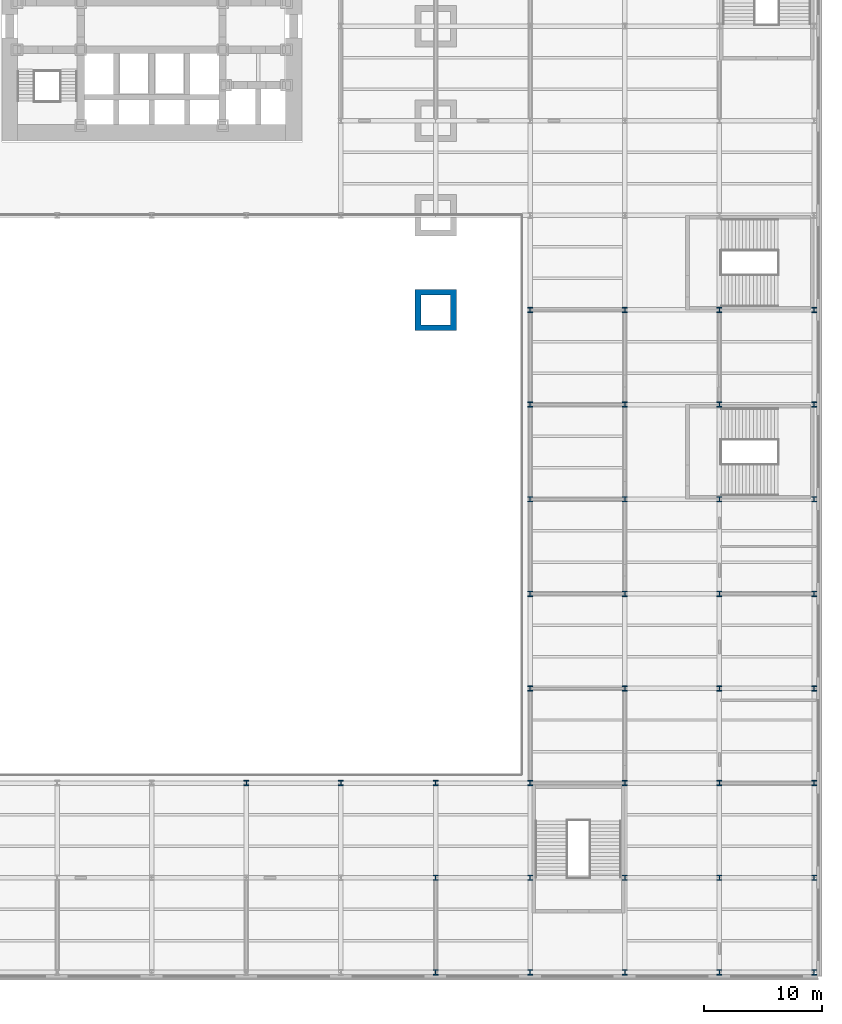
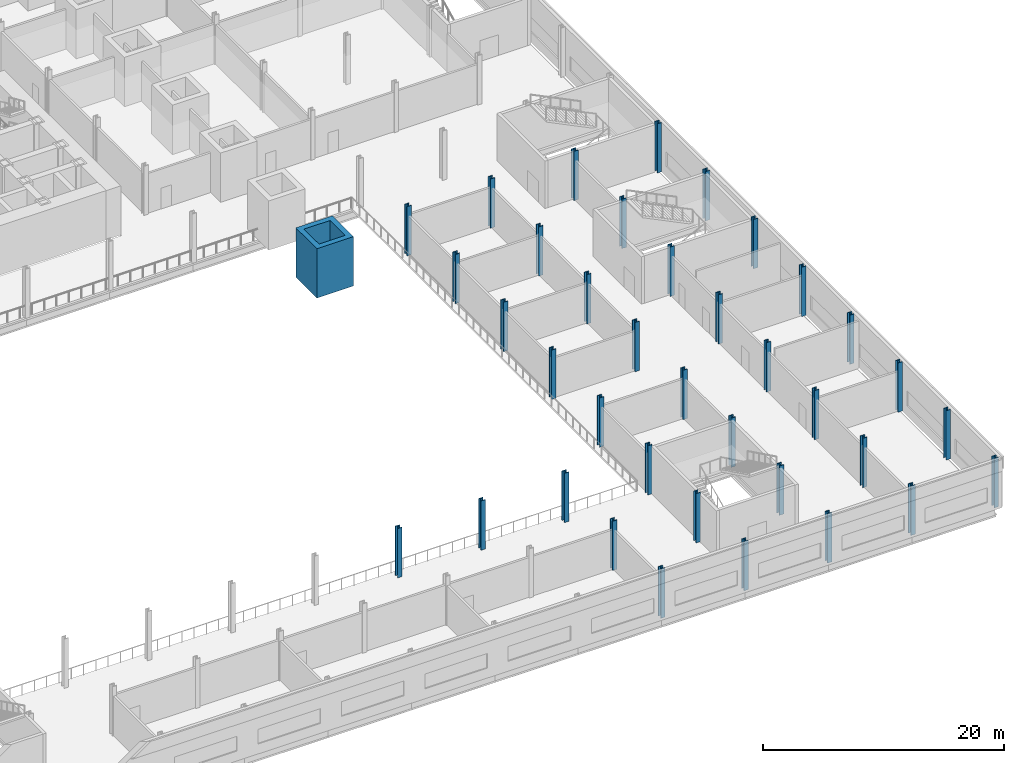
# One storey, part 2 of 18: 38 columns.
"""IFC4 building model written with IfcOpenShell, lengths in metres."""

from ifc_helpers import new_model, si_unit, direction, frame, origin, origin_2d, place, context, subcontext, project, spatial, hollow_rectangle, i_section, extrude, material, material_profile, profile_set, type_object, element, save


model = new_model("IFC4")

# Units and contexts
model_context = context("Model", 3, precision=1e-05, world=origin(), true_north=direction((0.0, 1.0)))
body_context = subcontext(model_context, "Body", "Model", "MODEL_VIEW")
ifc_project = project(units=[si_unit("LENGTHUNIT", "METRE"), si_unit("AREAUNIT", "SQUARE_METRE"), si_unit("VOLUMEUNIT", "CUBIC_METRE"), si_unit("PLANEANGLEUNIT", "RADIAN"), si_unit("MASSUNIT", "GRAM", prefix="KILO")], contexts=[model_context])

# Site, building, storey
site_placement = place(None, origin())
site = spatial("IfcSite", under=ifc_project, at=site_placement, CompositionType="ELEMENT")
building_placement = place(site_placement, origin())
building = spatial("IfcBuilding", under=site, at=building_placement, Name="Daluyong Arena Tower", CompositionType="ELEMENT")
storey_placement = place(building_placement, frame((0.0, 0.0, 4.89990234375)))
storey = spatial("IfcBuildingStorey", under=building, at=storey_placement, Name="L01", CompositionType="ELEMENT", Elevation=4.89990234375)

# Columns
ifc_material_1 = material(Name="Steel ASTM A913 Grade 65", Category="steel")
ifc_material_profile_1 = material_profile(ifc_material_1, i_section(OverallWidth=0.419189453125, OverallDepth=0.45458984375, WebThickness=0.042236328125, FlangeThickness=0.067626953125, at=origin_2d()))
ifc_profile_set_1 = profile_set([ifc_material_profile_1], Name="Steel ASTM A913 Grade 65")
column_type_1 = type_object("IfcColumnType", Name="Podium column W14X370", PredefinedType="COLUMN", material=ifc_profile_set_1)
for number, where, z_axis, x_axis, name in (
    (1, (64.0, 16.0, 0.0), (0.0, 0.0, 1.0), (1.0, 0.0, 0.0), "podium column PC1"),
    (2, (72.0, 16.0, 0.0), (0.0, 0.0, 1.0), (1.0, 0.0, 0.0), "podium column PC1"),
    (3, (80.0, 0.0, 0.0), (0.0, 0.0, 1.0), (1.0, 0.0, 0.0), "podium column PC1"),
    (4, (80.0, 8.0, 0.0), (0.0, 0.0, 1.0), (1.0, 0.0, 0.0), "podium column PC1"),
    (5, (80.0, 16.0, 0.0), (0.0, 0.0, 1.0), (1.0, 0.0, 0.0), "podium column PC1"),
    (6, (88.0, 0.0, 0.0), (0.0, 0.0, 1.0), (1.0, 0.0, 0.0), "podium column PC1"),
    (7, (88.0, 8.0, 0.0), (0.0, 0.0, 1.0), (1.0, 0.0, 0.0), "podium column PC1"),
    (8, (88.0, 16.0, 0.0), (0.0, 0.0, 1.0), (1.0, 0.0, 0.0), "podium column PC1"),
    (9, (88.0, 24.0, 0.0), (0.0, 0.0, 1.0), (1.0, 0.0, 0.0), "podium column PC1"),
    (10, (88.0, 32.0, 0.0), (0.0, 0.0, 1.0), (1.0, 0.0, 0.0), "podium column PC1"),
    (11, (88.0, 40.0, 0.0), (0.0, 0.0, 1.0), (1.0, 0.0, 0.0), "podium column PC1"),
    (12, (88.0, 48.0, 0.0), (0.0, 0.0, 1.0), (1.0, 0.0, 0.0), "podium column PC1"),
    (13, (88.0, 56.0, 0.0), (0.0, 0.0, 1.0), (1.0, 0.0, 0.0), "podium column PC1"),
    (14, (96.0, 0.0, 0.0), (0.0, 0.0, 1.0), (1.0, 0.0, 0.0), "podium column PC1"),
    (15, (96.0, 8.0, 0.0), (0.0, 0.0, 1.0), (1.0, 0.0, 0.0), "podium column PC1"),
    (16, (96.0, 16.0, 0.0), (0.0, 0.0, 1.0), (1.0, 0.0, 0.0), "podium column PC1"),
    (17, (96.0, 24.0, 0.0), (0.0, 0.0, 1.0), (1.0, 0.0, 0.0), "podium column PC1"),
    (18, (96.0, 32.0, 0.0), (0.0, 0.0, 1.0), (1.0, 0.0, 0.0), "podium column PC1"),
    (19, (96.0, 40.0, 0.0), (0.0, 0.0, 1.0), (1.0, 0.0, 0.0), "podium column PC1"),
    (20, (96.0, 48.0, 0.0), (0.0, 0.0, 1.0), (1.0, 0.0, 0.0), "podium column PC1"),
    (21, (96.0, 56.0, 0.0), (0.0, 0.0, 1.0), (1.0, 0.0, 0.0), "podium column PC1"),
    (22, (104.0, 0.0, 0.0), (0.0, 0.0, 1.0), (1.0, 0.0, 0.0), "podium column PC1"),
    (23, (104.0, 8.0, 0.0), (0.0, 0.0, 1.0), (1.0, 0.0, 0.0), "podium column PC1"),
    (24, (104.0, 16.0, 0.0), (0.0, 0.0, 1.0), (1.0, 0.0, 0.0), "podium column PC1"),
    (25, (104.0, 24.0, 0.0), (0.0, 0.0, 1.0), (1.0, 0.0, 0.0), "podium column PC1"),
    (26, (104.0, 32.0, 0.0), (0.0, 0.0, 1.0), (1.0, 0.0, 0.0), "podium column PC1"),
    (27, (104.0, 40.0, 0.0), (0.0, 0.0, 1.0), (1.0, 0.0, 0.0), "podium column PC1"),
    (28, (104.0, 48.0, 0.0), (0.0, 0.0, 1.0), (1.0, 0.0, 0.0), "podium column PC1"),
    (29, (104.0, 56.0, 0.0), (0.0, 0.0, 1.0), (1.0, 0.0, 0.0), "podium column PC1"),
    (30, (112.0, 0.0, 0.0), (0.0, 0.0, 1.0), (1.0, 0.0, 0.0), "podium column PC1"),
    (31, (112.0, 8.0, 0.0), (0.0, 0.0, 1.0), (1.0, 0.0, 0.0), "podium column PC1"),
    (32, (112.0, 16.0, 0.0), (0.0, 0.0, 1.0), (1.0, 0.0, 0.0), "podium column PC1"),
    (33, (112.0, 24.0, 0.0), (0.0, 0.0, 1.0), (1.0, 0.0, 0.0), "podium column PC1"),
    (34, (112.0, 32.0, 0.0), (0.0, 0.0, 1.0), (1.0, 0.0, 0.0), "podium column PC1"),
    (35, (112.0, 40.0, 0.0), (0.0, 0.0, 1.0), (1.0, 0.0, 0.0), "podium column PC1"),
    (36, (112.0, 48.0, 0.0), (0.0, 0.0, 1.0), (1.0, 0.0, 0.0), "podium column PC1"),
    (37, (112.0, 56.0, 0.0), (0.0, 0.0, 1.0), (1.0, 0.0, 0.0), "podium column PC1"),
):
    element("IfcColumn", number, at=place(storey_placement, frame(where, z_axis=z_axis, x_axis=x_axis)), inside=storey, type_object=column_type_1, Name=name, PredefinedType="COLUMN", context=body_context, shape_type="SweptSolid", body=[
        extrude(i_section(OverallWidth=0.419189453125, OverallDepth=0.45458984375, WebThickness=0.042236328125, FlangeThickness=0.067626953125, at=origin_2d()), origin(), (0.0, 0.0, 1.0), 5.0),
    ])
ifc_material_2 = material(Name="Steel ASTM A36", Category="steel")
ifc_material_profile_2 = material_profile(ifc_material_2, hollow_rectangle(XDim=3.5, YDim=3.5, WallThickness=0.5, at=origin_2d()))
ifc_profile_set_2 = profile_set([ifc_material_profile_2], Name="Steel ASTM A36")
column_type_2 = type_object("IfcColumnType", Name="Podium megacolumn BX3500X500", PredefinedType="COLUMN", material=ifc_profile_set_2)
column_placement = place(storey_placement, frame((80.0, 56.0, 0.0), z_axis=(0.0, 0.0, 1.0), x_axis=(1.0, 0.0, 0.0)))
element("IfcColumn", 38, at=column_placement, inside=storey, type_object=column_type_2, Name="podium megacolumn MC1", PredefinedType="COLUMN", context=body_context, shape_type="SweptSolid", body=[
    extrude(hollow_rectangle(XDim=3.5, YDim=3.5, WallThickness=0.5, at=origin_2d()), origin(), (0.0, 0.0, 1.0), 5.0),
])

save(model, "model.ifc")
